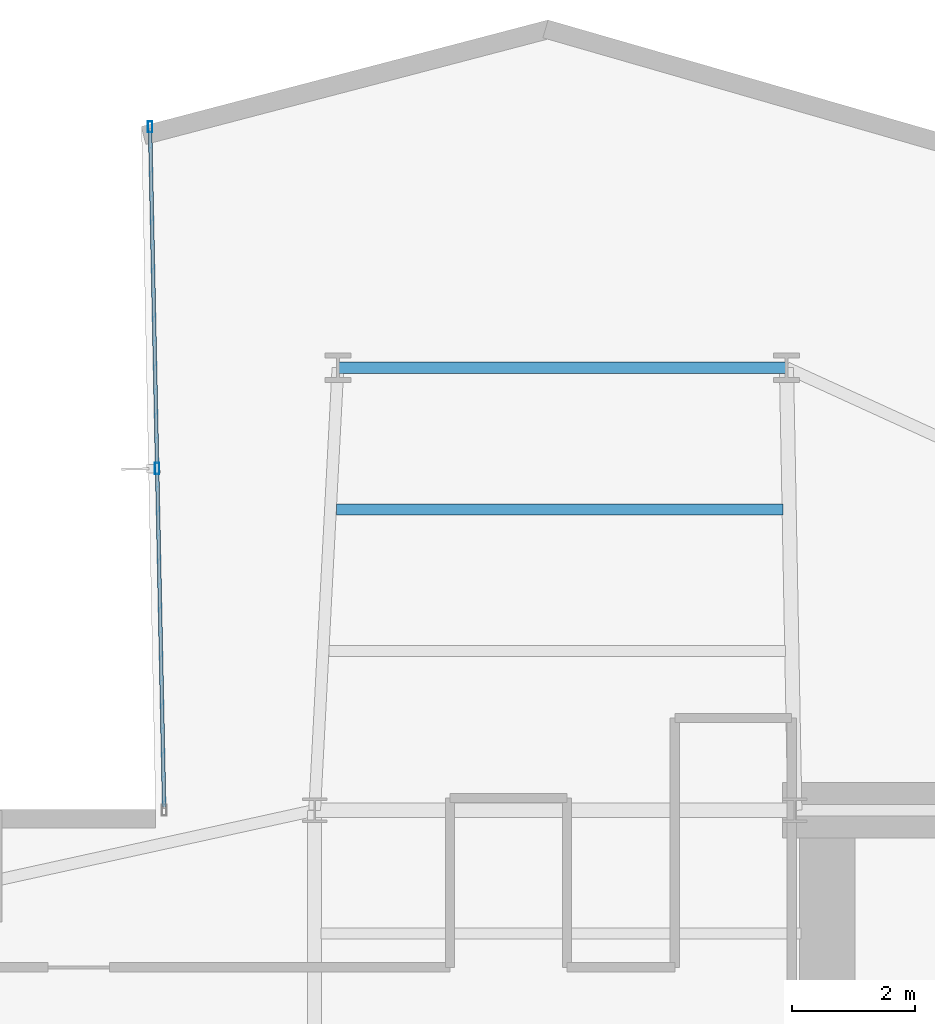
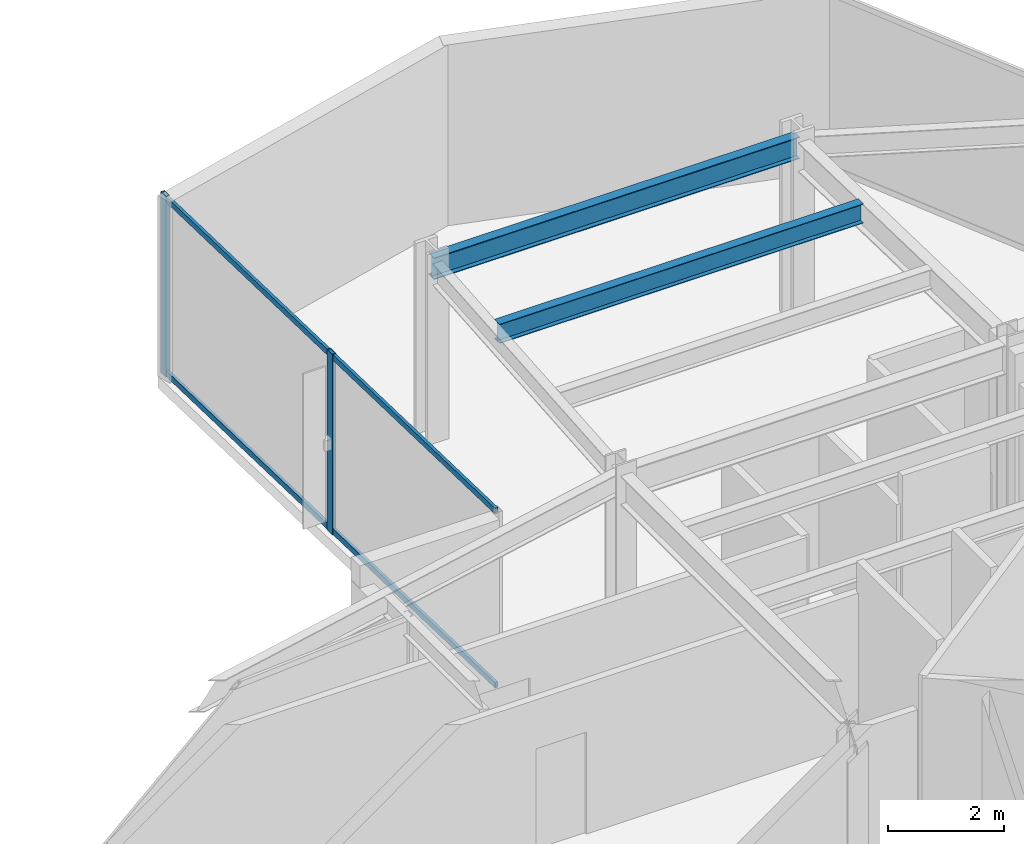
# One storey, part 16 of 23: 4 members, 2 beams, 1 element without a shape of its own.
"""IFC4 building model written with IfcOpenShell, lengths in metres."""

from ifc_helpers import new_model, si_unit, direction, frame, origin, origin_2d, place, context, subcontext, project, spatial, hollow_rectangle, i_section, extrude, material, layer, layer_set, material_profile, profile_set, type_object, element, aggregate, save


model = new_model("IFC4")

# Units and contexts
model_context = context("Model", 3, precision=1e-05, world=origin(), true_north=direction((0.0, 1.0)))
body_context = subcontext(model_context, "Body", "Model", "MODEL_VIEW")
ifc_project = project(units=[si_unit("LENGTHUNIT", "METRE"), si_unit("AREAUNIT", "SQUARE_METRE"), si_unit("VOLUMEUNIT", "CUBIC_METRE"), si_unit("PLANEANGLEUNIT", "RADIAN"), si_unit("MASSUNIT", "GRAM", prefix="KILO")], contexts=[model_context])

# Site, building, storey
site_placement = place(None, origin())
site = spatial("IfcSite", under=ifc_project, at=site_placement, CompositionType="ELEMENT")
building_placement = place(site_placement, origin())
building = spatial("IfcBuilding", under=site, at=building_placement, Name="Veymaron Broadcast Tower", CompositionType="ELEMENT")
storey_placement = place(building_placement, frame((0.0, 0.0, 94.5)))
storey = spatial("IfcBuildingStorey", under=building, at=storey_placement, Name="L21", CompositionType="ELEMENT", Elevation=94.5)

# Beams
ifc_material_1 = material(Name="Structural steel ASTM A992 Gr 50", Category="steel")
ifc_material_profile_1 = material_profile(ifc_material_1, i_section(OverallWidth=0.177978515625, OverallDepth=0.406982421875, WebThickness=0.0078125, FlangeThickness=0.0126953125, at=origin_2d()), Name="W410X60")
ifc_profile_set_1 = profile_set([ifc_material_profile_1], Name="Structural steel ASTM A992 Gr 50")
beam_type_1 = type_object("IfcBeamType", Name="BM-JS1", PredefinedType="JOIST", material=ifc_profile_set_1)
beam_1_placement = place(storey_placement, frame((31.556884765625, 36.88916015625, 3.6064453125), z_axis=(1.0, 0.0, 0.0), x_axis=(0.0, 1.0, 0.0)))
element("IfcBeam", 1, at=beam_1_placement, inside=storey, type_object=beam_type_1, Name="L21 Arm-B secondary joist 2", PredefinedType="JOIST", context=body_context, shape_type="SweptSolid", body=[
    extrude(i_section(OverallWidth=0.177978515625, OverallDepth=0.406982421875, WebThickness=0.0078125, FlangeThickness=0.0126953125, at=origin_2d()), origin(), (0.0, 0.0, 1.0), 7.251220703125),
])
ifc_material_profile_2 = material_profile(ifc_material_1, i_section(OverallWidth=0.19091796875, OverallDepth=0.4599609375, WebThickness=0.010009765625, FlangeThickness=0.01611328125, at=origin_2d()), Name="W460X82")
ifc_profile_set_2 = profile_set([ifc_material_profile_2], Name="Structural steel ASTM A992 Gr 50")
beam_type_2 = type_object("IfcBeamType", Name="BM-SP1", PredefinedType="SPANDREL", material=ifc_profile_set_2)
beam_2_placement = place(storey_placement, frame((31.577880859375, 39.18994140625, 3.580078125), z_axis=(1.0, 0.0, 0.0), x_axis=(0.0, 1.0, 0.0)))
element("IfcBeam", 2, at=beam_2_placement, inside=storey, type_object=beam_type_2, Name="L21 primary structural floor girder", PredefinedType="SPANDREL", context=body_context, shape_type="SweptSolid", body=[
    extrude(i_section(OverallWidth=0.19091796875, OverallDepth=0.4599609375, WebThickness=0.010009765625, FlangeThickness=0.01611328125, at=origin_2d()), origin(), (0.0, 0.0, 1.0), 7.287109375),
])

# Curtain wall, members
ifc_material_2 = material(Name="Anodised aluminium AA 6063-T6 and laminated low-E dark glass", Category="aluminium")
ifc_layer = layer(ifc_material_2, 0.179931640625)
ifc_layer_set = layer_set([ifc_layer], Name="Anodised aluminium AA 6063-T6 and laminated low-E dark glass")
curtain_wall_type = type_object("IfcCurtainWallType", Name="CW-SYS-02", PredefinedType="NOTDEFINED", material=ifc_layer_set)
curtain_wall_placement = place(storey_placement, origin())
curtain_wall = element("IfcCurtainWall", 3, at=curtain_wall_placement, inside=storey, type_object=curtain_wall_type, Name="L21 dark-glass curtain wall CW-L21-E8-1", PredefinedType="NOTDEFINED")
ifc_material_3 = material(Name="Anodised aluminium AA 6063-T6", Category="aluminium")
ifc_material_profile_3 = material_profile(ifc_material_3, hollow_rectangle(XDim=0.074951171875, YDim=0.179931640625, WallThickness=0.0048828125, at=origin_2d()), Name="AL180X75X5")
ifc_profile_set_3 = profile_set([ifc_material_profile_3], Name="Anodised aluminium AA 6063-T6")
member_type_1 = type_object("IfcMemberType", Name="CW-MUL-02", PredefinedType="MULLION", material=ifc_profile_set_3)
member_1_placement = place(storey_placement, frame((28.52587890625, 43.101806640625, 0.0), z_axis=(0.0, 0.0, 1.0), x_axis=(1.0, 0.0, 0.0)))
member_1 = element("IfcMember", 4, at=member_1_placement, type_object=member_type_1, Name="CW-L21-E8-1 mullion 0", PredefinedType="MULLION", context=body_context, shape_type="SweptSolid", body=[
    extrude(hollow_rectangle(XDim=0.074951171875, YDim=0.179931640625, WallThickness=0.0048828125, at=origin_2d()), origin(), (0.0, 0.0, 1.0), 3.81005859375),
])
member_2_placement = place(storey_placement, frame((28.640869140625, 37.552490234375, 0.0), z_axis=(0.0, 0.0, 1.0), x_axis=(1.0, 0.0, 0.0)))
member_2 = element("IfcMember", 5, at=member_2_placement, type_object=member_type_1, Name="CW-L21-E8-1 mullion 1", PredefinedType="MULLION", context=body_context, shape_type="SweptSolid", body=[
    extrude(hollow_rectangle(XDim=0.074951171875, YDim=0.179931640625, WallThickness=0.0048828125, at=origin_2d()), origin(), (0.0, 0.0, 1.0), 3.81005859375),
])
ifc_material_profile_4 = material_profile(ifc_material_3, hollow_rectangle(XDim=0.06005859375, YDim=0.1201171875, WallThickness=0.00390625, at=origin_2d()), Name="AL120X60X4")
ifc_profile_set_4 = profile_set([ifc_material_profile_4], Name="Anodised aluminium AA 6063-T6")
member_type_2 = type_object("IfcMemberType", Name="CW-TRN-02", PredefinedType="USERDEFINED", material=ifc_profile_set_4)
member_3_placement = place(storey_placement, frame((28.527099609375, 43.052001953125, 0.070068359375), z_axis=(0.020660598316, -0.999786547058, 0.0), x_axis=(0.999786547058, 0.020660598316, 0.0)))
member_3 = element("IfcMember", 6, at=member_3_placement, type_object=member_type_2, Name="CW-L21-E8-1 transom B", ObjectType="TRANSOM", PredefinedType="USERDEFINED", context=body_context, shape_type="SweptSolid", body=[
    extrude(hollow_rectangle(XDim=0.06005859375, YDim=0.1201171875, WallThickness=0.00390625, at=origin_2d()), origin(), (0.0, 0.0, 1.0), 11.00146484375),
])
member_4_placement = place(storey_placement, frame((28.527099609375, 43.052001953125, 3.739990234375), z_axis=(0.020660598316, -0.999786547058, 0.0), x_axis=(0.999786547058, 0.020660598316, 0.0)))
member_4 = element("IfcMember", 7, at=member_4_placement, type_object=member_type_2, Name="CW-L21-E8-1 transom T", ObjectType="TRANSOM", PredefinedType="USERDEFINED", context=body_context, shape_type="SweptSolid", body=[
    extrude(hollow_rectangle(XDim=0.06005859375, YDim=0.1201171875, WallThickness=0.00390625, at=origin_2d()), origin(), (0.0, 0.0, 1.0), 11.00146484375),
])
aggregate(curtain_wall, [member_1, member_2, member_3, member_4])

save(model, "model.ifc")
